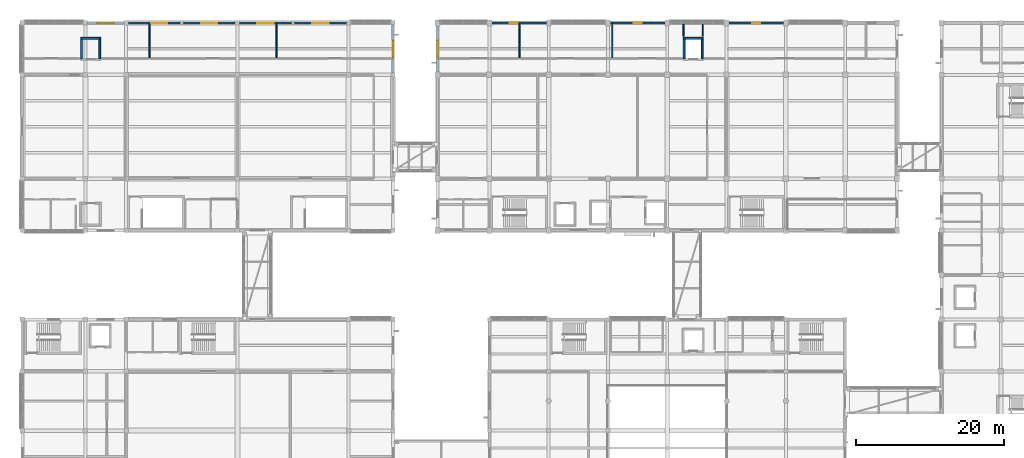
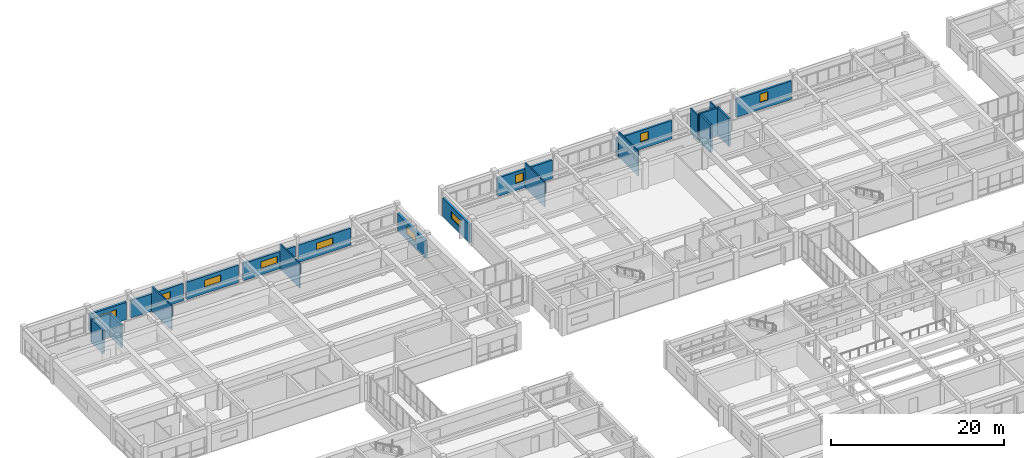
# One storey, part 51 of 66: 22 walls, 10 windows, 10 openings.
"""IFC4 building model written with IfcOpenShell, lengths in metres."""

from ifc_helpers import new_model, si_unit, direction, frame, frame_2d, origin, place, context, subcontext, project, spatial, rectangle, extrude, material, layer, layer_set, type_object, element, fill, save


model = new_model("IFC4")

# Units and contexts
model_context = context("Model", 3, precision=1e-05, world=origin(), true_north=direction((0.0, 1.0)))
body_context = subcontext(model_context, "Body", "Model", "MODEL_VIEW")
ifc_project = project(units=[si_unit("LENGTHUNIT", "METRE"), si_unit("AREAUNIT", "SQUARE_METRE"), si_unit("VOLUMEUNIT", "CUBIC_METRE"), si_unit("PLANEANGLEUNIT", "RADIAN"), si_unit("MASSUNIT", "GRAM", prefix="KILO")], contexts=[model_context])

# Site, building, storey
site_placement = place(None, origin())
site = spatial("IfcSite", under=ifc_project, at=site_placement, CompositionType="ELEMENT")
building_placement = place(site_placement, origin())
building = spatial("IfcBuilding", under=site, at=building_placement, Name="Naurynzar Civic Courthouse", CompositionType="ELEMENT")
storey_placement = place(building_placement, frame((0.0, 0.0, 14.39990234375)))
storey = spatial("IfcBuildingStorey", under=building, at=storey_placement, Name="L04", CompositionType="ELEMENT", Elevation=14.39990234375)

# Wall, opening, window
ifc_material_1 = material(Name="Precast concrete C40/50", Category="concrete")
ifc_layer_1 = layer(ifc_material_1, 0.300048828125)
ifc_layer_set_1 = layer_set([ifc_layer_1], Name="WL-EXT-300")
wall_type_1 = type_object("IfcWallType", Name="WL-EXT-300", PredefinedType="SOLIDWALL", material=ifc_layer_set_1)
wall_1_placement = place(storey_placement, frame((62.0, 65.39990234375, 0.0), z_axis=(0.0, 0.0, 1.0), x_axis=(0.0, 1.0, 0.0)))
wall_1 = element("IfcWall", 1, at=wall_1_placement, inside=storey, type_object=wall_type_1, Name="V2 exterior wall west L04.3.1", PredefinedType="SOLIDWALL", context=body_context, shape_type="SweptSolid", body=[
    extrude(rectangle(XDim=6.2001953125, YDim=0.300048828125, at=frame_2d((3.10009765625, 0.0))), origin(), (0.0, 0.0, 1.0), 2.610107421875),
])
opening_1_placement = place(wall_1_placement, frame((2.02001953125, 0.0, 0.89990234375)))
opening_1 = element("IfcOpeningElement", 2, at=opening_1_placement, cuts=wall_1, Name="Opening WN-18", PredefinedType="OPENING", context=body_context, shape_type="SweptSolid", body=[
    extrude(rectangle(XDim=2.199951171875, YDim=1.0, at=frame_2d((1.10009765625, 0.5))), frame((0.0, 0.159912109375, 0.0), z_axis=(0.0, -1.0, 0.0), x_axis=(1.0, 0.0, 0.0)), (0.0, 0.0, 1.0), 0.320068359375),
])
ifc_material_2 = material(Name="Tempered Laminated Low-E Glass", Category="glass")
window_type_1 = type_object("IfcWindowType", Name="WIN-CLER-2200x1000", PartitioningType="DOUBLE_PANEL_VERTICAL", PredefinedType="WINDOW", material=ifc_material_2)
window_1_placement = place(opening_1_placement, origin())
window_1 = element("IfcWindow", 3, at=window_1_placement, inside=storey, type_object=window_type_1, Name="V2 window 72 L04", OverallHeight=1.0, OverallWidth=2.199951171875, PartitioningType="SINGLE_PANEL", PredefinedType="WINDOW", context=body_context, shape_type="SweptSolid", body=[
    extrude(rectangle(XDim=2.199951171875, YDim=1.0, at=frame_2d((1.10009765625, 0.5))), frame((0.0, 0.030029296875, 0.0), z_axis=(0.0, -1.0, 0.0), x_axis=(1.0, 0.0, 0.0)), (0.0, 0.0, 1.0), 0.06005859375),
])
fill(opening_1, window_1)

wall_2_placement = place(storey_placement, frame((69.324951171875, 72.0, 0.0), z_axis=(0.0, 0.0, 1.0), x_axis=(1.0, 0.0, 0.0)))
wall_2 = element("IfcWall", 4, at=wall_2_placement, inside=storey, type_object=wall_type_1, Name="V2 exterior wall north L04.2.1", PredefinedType="SOLIDWALL", context=body_context, shape_type="SweptSolid", body=[
    extrude(rectangle(XDim=7.35009765625, YDim=0.300048828125, at=frame_2d((3.675048828125, 0.0))), origin(), (0.0, 0.0, 1.0), 2.610107421875),
])
opening_2_placement = place(wall_2_placement, frame((2.425048828125, 0.0, 1.0)))
opening_2 = element("IfcOpeningElement", 5, at=opening_2_placement, cuts=wall_2, Name="Opening WN-15", PredefinedType="OPENING", context=body_context, shape_type="SweptSolid", body=[
    extrude(rectangle(XDim=1.10009765625, YDim=1.199951171875, at=frame_2d((0.550048828125, 0.60009765625))), frame((0.0, 0.159912109375, 0.0), z_axis=(0.0, -1.0, 0.0), x_axis=(1.0, 0.0, 0.0)), (0.0, 0.0, 1.0), 0.320068359375),
])
ifc_material_3 = material(Name="Tempered Laminated Low-E Glass", Category="glass")
window_type_2 = type_object("IfcWindowType", Name="WIN-SEC-1100x1200", PartitioningType="SINGLE_PANEL", PredefinedType="WINDOW", material=ifc_material_3)
window_2_placement = place(opening_2_placement, origin())
window_2 = element("IfcWindow", 6, at=window_2_placement, inside=storey, type_object=window_type_2, Name="V2 window 73 L04", OverallHeight=1.199951171875, OverallWidth=1.10009765625, PartitioningType="SINGLE_PANEL", PredefinedType="WINDOW", context=body_context, shape_type="SweptSolid", body=[
    extrude(rectangle(XDim=1.10009765625, YDim=1.199951171875, at=frame_2d((0.550048828125, 0.60009765625))), frame((0.0, 0.030029296875, 0.0), z_axis=(0.0, -1.0, 0.0), x_axis=(1.0, 0.0, 0.0)), (0.0, 0.0, 1.0), 0.06005859375),
])
fill(opening_2, window_2)

wall_3_placement = place(storey_placement, frame((85.324951171875, 72.0, 0.0), z_axis=(0.0, 0.0, 1.0), x_axis=(1.0, 0.0, 0.0)))
wall_3 = element("IfcWall", 7, at=wall_3_placement, inside=storey, type_object=wall_type_1, Name="V2 exterior wall north L04.4.1", PredefinedType="SOLIDWALL", context=body_context, shape_type="SweptSolid", body=[
    extrude(rectangle(XDim=7.35009765625, YDim=0.300048828125, at=frame_2d((3.675048828125, 0.0))), origin(), (0.0, 0.0, 1.0), 2.610107421875),
])
opening_3_placement = place(wall_3_placement, frame((3.125, 0.0, 1.0)))
opening_3 = element("IfcOpeningElement", 8, at=opening_3_placement, cuts=wall_3, Name="Opening WN-15", PredefinedType="OPENING", context=body_context, shape_type="SweptSolid", body=[
    extrude(rectangle(XDim=1.10009765625, YDim=1.199951171875, at=frame_2d((0.550048828125, 0.60009765625))), frame((0.0, 0.159912109375, 0.0), z_axis=(0.0, -1.0, 0.0), x_axis=(1.0, 0.0, 0.0)), (0.0, 0.0, 1.0), 0.320068359375),
])
window_3_placement = place(opening_3_placement, origin())
window_3 = element("IfcWindow", 9, at=window_3_placement, inside=storey, type_object=window_type_2, Name="V2 window 74 L04", OverallHeight=1.199951171875, OverallWidth=1.10009765625, PartitioningType="SINGLE_PANEL", PredefinedType="WINDOW", context=body_context, shape_type="SweptSolid", body=[
    extrude(rectangle(XDim=1.10009765625, YDim=1.199951171875, at=frame_2d((0.550048828125, 0.60009765625))), frame((0.0, 0.030029296875, 0.0), z_axis=(0.0, -1.0, 0.0), x_axis=(1.0, 0.0, 0.0)), (0.0, 0.0, 1.0), 0.06005859375),
])
fill(opening_3, window_3)

wall_4_placement = place(storey_placement, frame((101.324951171875, 72.0, 0.0), z_axis=(0.0, 0.0, 1.0), x_axis=(1.0, 0.0, 0.0)))
wall_4 = element("IfcWall", 10, at=wall_4_placement, inside=storey, type_object=wall_type_1, Name="V2 exterior wall north L04.6.1", PredefinedType="SOLIDWALL", context=body_context, shape_type="SweptSolid", body=[
    extrude(rectangle(XDim=7.35009765625, YDim=0.300048828125, at=frame_2d((3.675048828125, 0.0))), origin(), (0.0, 0.0, 1.0), 2.610107421875),
])
opening_4_placement = place(wall_4_placement, frame((3.125, 0.0, 1.0)))
opening_4 = element("IfcOpeningElement", 11, at=opening_4_placement, cuts=wall_4, Name="Opening WN-15", PredefinedType="OPENING", context=body_context, shape_type="SweptSolid", body=[
    extrude(rectangle(XDim=1.10009765625, YDim=1.199951171875, at=frame_2d((0.550048828125, 0.60009765625))), frame((0.0, 0.159912109375, 0.0), z_axis=(0.0, -1.0, 0.0), x_axis=(1.0, 0.0, 0.0)), (0.0, 0.0, 1.0), 0.320068359375),
])
window_4_placement = place(opening_4_placement, origin())
window_4 = element("IfcWindow", 12, at=window_4_placement, inside=storey, type_object=window_type_2, Name="V2 window 75 L04", OverallHeight=1.199951171875, OverallWidth=1.10009765625, PartitioningType="SINGLE_PANEL", PredefinedType="WINDOW", context=body_context, shape_type="SweptSolid", body=[
    extrude(rectangle(XDim=1.10009765625, YDim=1.199951171875, at=frame_2d((0.550048828125, 0.60009765625))), frame((0.0, 0.030029296875, 0.0), z_axis=(0.0, -1.0, 0.0), x_axis=(1.0, 0.0, 0.0)), (0.0, 0.0, 1.0), 0.06005859375),
])
fill(opening_4, window_4)

ifc_material_4 = material(Name="Precast concrete C40/50", Category="concrete")
ifc_layer_2 = layer(ifc_material_4, 0.320068359375)
ifc_layer_set_2 = layer_set([ifc_layer_2], Name="WL-EXT-320")
wall_type_2 = type_object("IfcWallType", Name="WL-EXT-320", PredefinedType="SOLIDWALL", material=ifc_layer_set_2)
wall_5_placement = place(storey_placement, frame((14.800048828125, 72.0, 0.0), z_axis=(0.0, 0.0, 1.0), x_axis=(1.0, 0.0, 0.0)))
wall_5 = element("IfcWall", 13, at=wall_5_placement, inside=storey, type_object=wall_type_2, Name="V1 exterior wall north L04.2.1", PredefinedType="SOLIDWALL", context=body_context, shape_type="SweptSolid", body=[
    extrude(rectangle(XDim=4.89990234375, YDim=0.320068359375, at=frame_2d((2.449951171875, 0.0))), origin(), (0.0, 0.0, 1.0), 2.460205078125),
])
opening_5_placement = place(wall_5_placement, frame((1.35009765625, 0.0, 0.89990234375)))
opening_5 = element("IfcOpeningElement", 14, at=opening_5_placement, cuts=wall_5, Name="Opening WN-18", PredefinedType="OPENING", context=body_context, shape_type="SweptSolid", body=[
    extrude(rectangle(XDim=2.199951171875, YDim=1.0, at=frame_2d((1.10009765625, 0.5))), frame((0.0, 0.169921875, 0.0), z_axis=(0.0, -1.0, 0.0), x_axis=(1.0, 0.0, 0.0)), (0.0, 0.0, 1.0), 0.340087890625),
])
window_5_placement = place(opening_5_placement, origin())
window_5 = element("IfcWindow", 15, at=window_5_placement, inside=storey, type_object=window_type_1, Name="V1 window 31 L04", OverallHeight=1.0, OverallWidth=2.199951171875, PartitioningType="SINGLE_PANEL", PredefinedType="WINDOW", context=body_context, shape_type="SweptSolid", body=[
    extrude(rectangle(XDim=2.199951171875, YDim=1.0, at=frame_2d((1.10009765625, 0.5))), frame((0.0, 0.030029296875, 0.0), z_axis=(0.0, -1.0, 0.0), x_axis=(1.0, 0.0, 0.0)), (0.0, 0.0, 1.0), 0.06005859375),
])
fill(opening_5, window_5)

wall_6_placement = place(storey_placement, frame((20.300048828125, 72.0, 0.0), z_axis=(0.0, 0.0, 1.0), x_axis=(1.0, 0.0, 0.0)))
wall_6 = element("IfcWall", 16, at=wall_6_placement, inside=storey, type_object=wall_type_2, Name="V1 exterior wall north L04.3.1", PredefinedType="SOLIDWALL", context=body_context, shape_type="SweptSolid", body=[
    extrude(rectangle(XDim=6.97998046875, YDim=0.320068359375, at=frame_2d((3.489990234375, 0.0))), origin(), (0.0, 0.0, 1.0), 2.460205078125),
])
opening_6_placement = place(wall_6_placement, frame((3.06005859375, 0.0, 0.89990234375)))
opening_6 = element("IfcOpeningElement", 17, at=opening_6_placement, cuts=wall_6, Name="Opening WN-18", PredefinedType="OPENING", context=body_context, shape_type="SweptSolid", body=[
    extrude(rectangle(XDim=2.199951171875, YDim=1.0, at=frame_2d((1.10009765625, 0.5))), frame((0.0, 0.169921875, 0.0), z_axis=(0.0, -1.0, 0.0), x_axis=(1.0, 0.0, 0.0)), (0.0, 0.0, 1.0), 0.340087890625),
])
window_6_placement = place(opening_6_placement, origin())
window_6 = element("IfcWindow", 18, at=window_6_placement, inside=storey, type_object=window_type_1, Name="V1 window 32 L04", OverallHeight=1.0, OverallWidth=2.199951171875, PartitioningType="SINGLE_PANEL", PredefinedType="WINDOW", context=body_context, shape_type="SweptSolid", body=[
    extrude(rectangle(XDim=2.199951171875, YDim=1.0, at=frame_2d((1.10009765625, 0.5))), frame((0.0, 0.030029296875, 0.0), z_axis=(0.0, -1.0, 0.0), x_axis=(1.0, 0.0, 0.0)), (0.0, 0.0, 1.0), 0.06005859375),
])
fill(opening_6, window_6)

wall_7_placement = place(storey_placement, frame((27.719970703125, 72.0, 0.0), z_axis=(0.0, 0.0, 1.0), x_axis=(1.0, 0.0, 0.0)))
wall_7 = element("IfcWall", 19, at=wall_7_placement, inside=storey, type_object=wall_type_2, Name="V1 exterior wall north L04.3.2", PredefinedType="SOLIDWALL", context=body_context, shape_type="SweptSolid", body=[
    extrude(rectangle(XDim=6.97998046875, YDim=0.320068359375, at=frame_2d((3.489990234375, 0.0))), origin(), (0.0, 0.0, 1.0), 2.460205078125),
])
opening_7_placement = place(wall_7_placement, frame((2.389892578125, 0.0, 0.89990234375)))
opening_7 = element("IfcOpeningElement", 20, at=opening_7_placement, cuts=wall_7, Name="Opening WN-18", PredefinedType="OPENING", context=body_context, shape_type="SweptSolid", body=[
    extrude(rectangle(XDim=2.199951171875, YDim=1.0, at=frame_2d((1.10009765625, 0.5))), frame((0.0, 0.169921875, 0.0), z_axis=(0.0, -1.0, 0.0), x_axis=(1.0, 0.0, 0.0)), (0.0, 0.0, 1.0), 0.340087890625),
])
window_7_placement = place(opening_7_placement, origin())
window_7 = element("IfcWindow", 21, at=window_7_placement, inside=storey, type_object=window_type_1, Name="V1 window 33 L04", OverallHeight=1.0, OverallWidth=2.199951171875, PartitioningType="SINGLE_PANEL", PredefinedType="WINDOW", context=body_context, shape_type="SweptSolid", body=[
    extrude(rectangle(XDim=2.199951171875, YDim=1.0, at=frame_2d((1.10009765625, 0.5))), frame((0.0, 0.030029296875, 0.0), z_axis=(0.0, -1.0, 0.0), x_axis=(1.0, 0.0, 0.0)), (0.0, 0.0, 1.0), 0.06005859375),
])
fill(opening_7, window_7)

wall_8_placement = place(storey_placement, frame((35.300048828125, 72.0, 0.0), z_axis=(0.0, 0.0, 1.0), x_axis=(1.0, 0.0, 0.0)))
wall_8 = element("IfcWall", 22, at=wall_8_placement, inside=storey, type_object=wall_type_2, Name="V1 exterior wall north L04.4.1", PredefinedType="SOLIDWALL", context=body_context, shape_type="SweptSolid", body=[
    extrude(rectangle(XDim=6.97998046875, YDim=0.320068359375, at=frame_2d((3.489990234375, 0.0))), origin(), (0.0, 0.0, 1.0), 2.460205078125),
])
opening_8_placement = place(wall_8_placement, frame((2.389892578125, 0.0, 0.89990234375)))
opening_8 = element("IfcOpeningElement", 23, at=opening_8_placement, cuts=wall_8, Name="Opening WN-18", PredefinedType="OPENING", context=body_context, shape_type="SweptSolid", body=[
    extrude(rectangle(XDim=2.199951171875, YDim=1.0, at=frame_2d((1.10009765625, 0.5))), frame((0.0, 0.169921875, 0.0), z_axis=(0.0, -1.0, 0.0), x_axis=(1.0, 0.0, 0.0)), (0.0, 0.0, 1.0), 0.340087890625),
])
window_8_placement = place(opening_8_placement, origin())
window_8 = element("IfcWindow", 24, at=window_8_placement, inside=storey, type_object=window_type_1, Name="V1 window 34 L04", OverallHeight=1.0, OverallWidth=2.199951171875, PartitioningType="SINGLE_PANEL", PredefinedType="WINDOW", context=body_context, shape_type="SweptSolid", body=[
    extrude(rectangle(XDim=2.199951171875, YDim=1.0, at=frame_2d((1.10009765625, 0.5))), frame((0.0, 0.030029296875, 0.0), z_axis=(0.0, -1.0, 0.0), x_axis=(1.0, 0.0, 0.0)), (0.0, 0.0, 1.0), 0.06005859375),
])
fill(opening_8, window_8)

wall_9_placement = place(storey_placement, frame((42.719970703125, 72.0, 0.0), z_axis=(0.0, 0.0, 1.0), x_axis=(1.0, 0.0, 0.0)))
wall_9 = element("IfcWall", 25, at=wall_9_placement, inside=storey, type_object=wall_type_2, Name="V1 exterior wall north L04.4.2", PredefinedType="SOLIDWALL", context=body_context, shape_type="SweptSolid", body=[
    extrude(rectangle(XDim=6.97998046875, YDim=0.320068359375, at=frame_2d((3.489990234375, 0.0))), origin(), (0.0, 0.0, 1.0), 2.460205078125),
])
opening_9_placement = place(wall_9_placement, frame((2.389892578125, 0.0, 0.89990234375)))
opening_9 = element("IfcOpeningElement", 26, at=opening_9_placement, cuts=wall_9, Name="Opening WN-18", PredefinedType="OPENING", context=body_context, shape_type="SweptSolid", body=[
    extrude(rectangle(XDim=2.199951171875, YDim=1.0, at=frame_2d((1.10009765625, 0.5))), frame((0.0, 0.169921875, 0.0), z_axis=(0.0, -1.0, 0.0), x_axis=(1.0, 0.0, 0.0)), (0.0, 0.0, 1.0), 0.340087890625),
])
window_9_placement = place(opening_9_placement, origin())
window_9 = element("IfcWindow", 27, at=window_9_placement, inside=storey, type_object=window_type_1, Name="V1 window 35 L04", OverallHeight=1.0, OverallWidth=2.199951171875, PartitioningType="SINGLE_PANEL", PredefinedType="WINDOW", context=body_context, shape_type="SweptSolid", body=[
    extrude(rectangle(XDim=2.199951171875, YDim=1.0, at=frame_2d((1.10009765625, 0.5))), frame((0.0, 0.030029296875, 0.0), z_axis=(0.0, -1.0, 0.0), x_axis=(1.0, 0.0, 0.0)), (0.0, 0.0, 1.0), 0.06005859375),
])
fill(opening_9, window_9)

wall_10_placement = place(storey_placement, frame((56.0, 71.699951171875, 0.0), z_axis=(0.0, 0.0, 1.0), x_axis=(0.0, -1.0, 0.0)))
wall_10 = element("IfcWall", 28, at=wall_10_placement, inside=storey, type_object=wall_type_2, Name="V1 exterior wall east L04.1.1", PredefinedType="SOLIDWALL", context=body_context, shape_type="SweptSolid", body=[
    extrude(rectangle(XDim=6.39990234375, YDim=0.320068359375, at=frame_2d((3.199951171875, 0.0))), origin(), (0.0, 0.0, 1.0), 2.460205078125),
])
opening_10_placement = place(wall_10_placement, frame((2.080078125, 0.0, 0.89990234375)))
opening_10 = element("IfcOpeningElement", 29, at=opening_10_placement, cuts=wall_10, Name="Opening WN-18", PredefinedType="OPENING", context=body_context, shape_type="SweptSolid", body=[
    extrude(rectangle(XDim=2.199951171875, YDim=1.0, at=frame_2d((1.10009765625, 0.5))), frame((0.0, 0.169921875, 0.0), z_axis=(0.0, -1.0, 0.0), x_axis=(1.0, 0.0, 0.0)), (0.0, 0.0, 1.0), 0.340087890625),
])
window_10_placement = place(opening_10_placement, origin())
window_10 = element("IfcWindow", 30, at=window_10_placement, inside=storey, type_object=window_type_1, Name="V1 window 36 L04", OverallHeight=1.0, OverallWidth=2.199951171875, PartitioningType="SINGLE_PANEL", PredefinedType="WINDOW", context=body_context, shape_type="SweptSolid", body=[
    extrude(rectangle(XDim=2.199951171875, YDim=1.0, at=frame_2d((1.10009765625, 0.5))), frame((0.0, 0.030029296875, 0.0), z_axis=(0.0, -1.0, 0.0), x_axis=(1.0, 0.0, 0.0)), (0.0, 0.0, 1.0), 0.06005859375),
])
fill(opening_10, window_10)

# Walls
ifc_material_5 = material(Name="Insulated Metal-Stud Gypsum Partition")
ifc_layer_3 = layer(ifc_material_5, 0.159912109375)
ifc_layer_set_3 = layer_set([ifc_layer_3], Name="WL-PART-CHAMB-160")
wall_type_3 = type_object("IfcWallType", Name="WL-PART-CHAMB-160", PredefinedType="PARTITIONING", material=ifc_layer_set_3)
for number, where, z_axis, x_axis, name in (
    (31, (23.139892578125, 67.280029296875, 0.0), (0.0, 0.0, 1.0), (0.0, 1.0, 0.0), "V1 interior partition L04.519"),
    (32, (40.2900390625, 67.280029296875, 0.0), (0.0, 0.0, 1.0), (0.0, 1.0, 0.0), "V1 interior partition L04.527"),
    (33, (73.070068359375, 67.280029296875, 0.0), (0.0, 0.0, 1.0), (0.0, 1.0, 0.0), "V2 interior partition L04.533"),
    (34, (85.580078125, 67.280029296875, 0.0), (0.0, 0.0, 1.0), (0.0, 1.0, 0.0), "V2 interior partition L04.537"),
):
    element("IfcWall", number, at=place(storey_placement, frame(where, z_axis=z_axis, x_axis=x_axis)), inside=storey, type_object=wall_type_3, Name=name, PredefinedType="PARTITIONING", context=body_context, shape_type="SweptSolid", body=[
        extrude(rectangle(XDim=4.639892578125, YDim=0.159912109375, at=frame_2d((2.31982421875, 0.0))), origin(), (0.0, 0.0, 1.0), 3.5400390625),
    ])
for number, where, z_axis, x_axis, name in (
    (35, (95.199951171875, 70.199951171875, 0.0), (0.0, 0.0, 1.0), (0.0, 1.0, 0.0), "V2 interior partition L04.541"),
    (36, (97.800048828125, 70.199951171875, 0.0), (0.0, 0.0, 1.0), (0.0, 1.0, 0.0), "V2 interior partition L04.542"),
):
    element("IfcWall", number, at=place(storey_placement, frame(where, z_axis=z_axis, x_axis=x_axis)), inside=storey, type_object=wall_type_3, Name=name, PredefinedType="PARTITIONING", context=body_context, shape_type="SweptSolid", body=[
        extrude(rectangle(XDim=1.719970703125, YDim=0.159912109375, at=frame_2d((0.85986328125, 0.0))), origin(), (0.0, 0.0, 1.0), 3.5400390625),
    ])
ifc_material_6 = material(Name="Concrete C40/50", Category="concrete")
ifc_layer_4 = layer(ifc_material_6, 0.25)
ifc_layer_set_4 = layer_set([ifc_layer_4], Name="WL-SHAFT-250")
wall_type_4 = type_object("IfcWallType", Name="WL-SHAFT-250", PredefinedType="SHEAR", material=ifc_layer_set_4)
wall_11_placement = place(storey_placement, frame((16.550048828125, 69.925048828125, 0.0), z_axis=(0.0, 0.0, 1.0), x_axis=(-1.0, 0.0, 0.0)))
element("IfcWall", 37, at=wall_11_placement, inside=storey, type_object=wall_type_4, Name="Lift LJ-01 shaft wall north L04", PredefinedType="SHEAR", context=body_context, shape_type="SweptSolid", body=[
    extrude(rectangle(XDim=2.699951171875, YDim=0.25, at=frame_2d((1.35009765625, 0.0))), origin(), (0.0, 0.0, 1.0), 3.27001953125),
])
for number, where, z_axis, x_axis, name in (
    (38, (13.97509765625, 69.794921875, 0.0), (0.0, 0.0, 1.0), (0.0, -1.0, 0.0), "Lift LJ-01 shaft wall west L04"),
    (39, (16.425048828125, 67.205078125, 0.0), (0.0, 0.0, 1.0), (0.0, 1.0, 0.0), "Lift LJ-01 shaft wall east L04"),
):
    element("IfcWall", number, at=place(storey_placement, frame(where, z_axis=z_axis, x_axis=x_axis)), inside=storey, type_object=wall_type_4, Name=name, PredefinedType="SHEAR", context=body_context, shape_type="SweptSolid", body=[
        extrude(rectangle(XDim=2.58984375, YDim=0.25, at=frame_2d((1.294921875, 0.0))), origin(), (0.0, 0.0, 1.0), 3.27001953125),
    ])
wall_12_placement = place(storey_placement, frame((97.85009765625, 69.925048828125, 0.0), z_axis=(0.0, 0.0, 1.0), x_axis=(-1.0, 0.0, 0.0)))
element("IfcWall", 40, at=wall_12_placement, inside=storey, type_object=wall_type_4, Name="Lift LJ-02 shaft wall north L04", PredefinedType="SHEAR", context=body_context, shape_type="SweptSolid", body=[
    extrude(rectangle(XDim=2.7001953125, YDim=0.25, at=frame_2d((1.35009765625, 0.0))), origin(), (0.0, 0.0, 1.0), 3.900146484375),
])
for number, where, z_axis, x_axis, name in (
    (41, (95.27490234375, 69.794921875, 0.0), (0.0, 0.0, 1.0), (0.0, -1.0, 0.0), "Lift LJ-02 shaft wall west L04"),
    (42, (97.72509765625, 67.205078125, 0.0), (0.0, 0.0, 1.0), (0.0, 1.0, 0.0), "Lift LJ-02 shaft wall east L04"),
):
    element("IfcWall", number, at=place(storey_placement, frame(where, z_axis=z_axis, x_axis=x_axis)), inside=storey, type_object=wall_type_4, Name=name, PredefinedType="SHEAR", context=body_context, shape_type="SweptSolid", body=[
        extrude(rectangle(XDim=2.58984375, YDim=0.25, at=frame_2d((1.294921875, 0.0))), origin(), (0.0, 0.0, 1.0), 3.900146484375),
    ])

save(model, "model.ifc")
